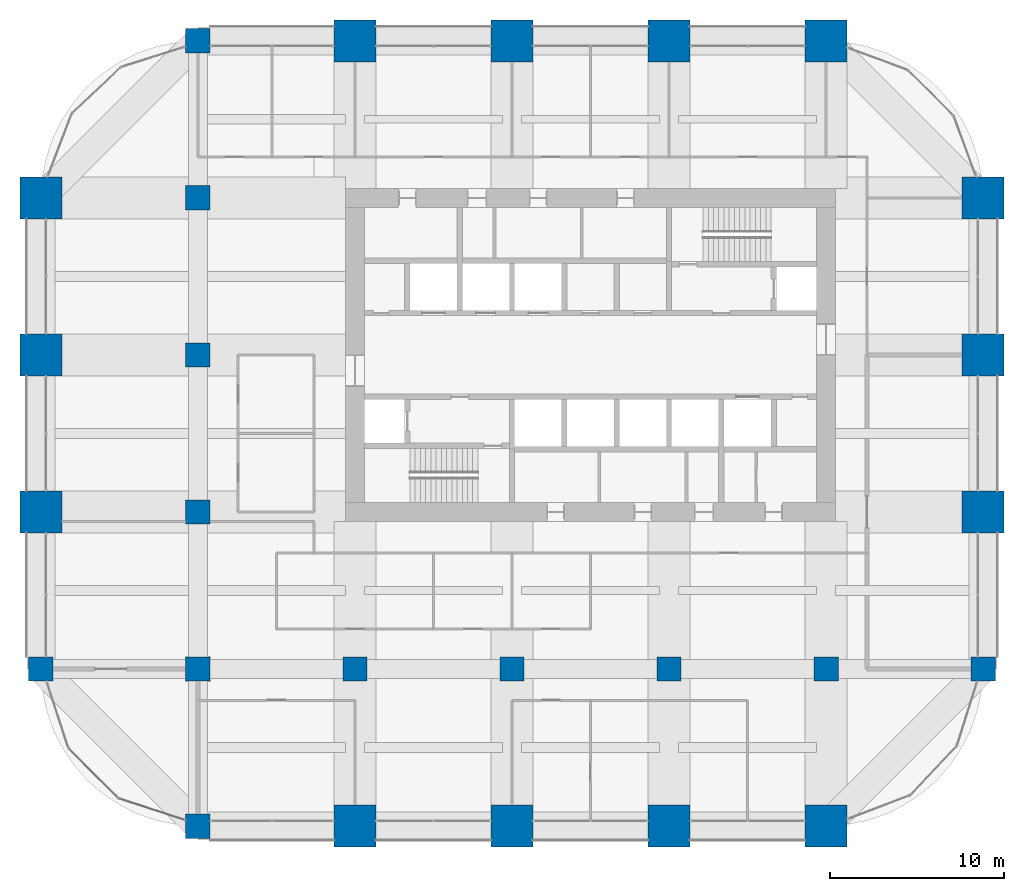
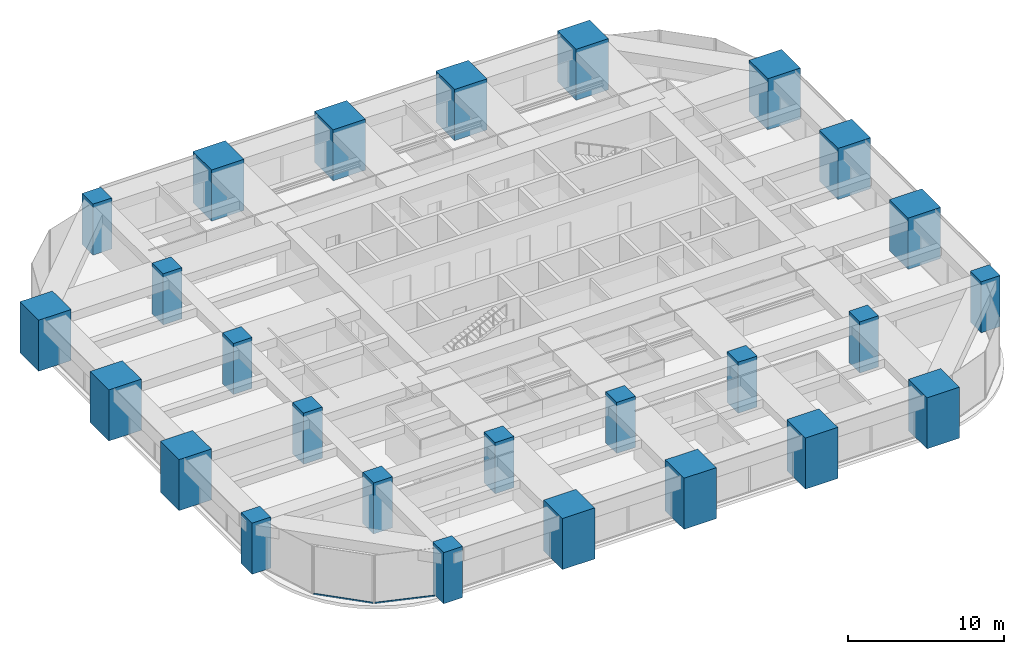
# One storey, part 1 of 34: 26 columns, 2 members, 2 elements without a shape of their own.
"""IFC4 building model written with IfcOpenShell, lengths in metres."""

from ifc_helpers import new_model, si_unit, direction, frame, origin, origin_2d, place, context, subcontext, project, spatial, rectangle, hollow_rectangle, extrude, material, material_profile, profile_set, type_object, element, aggregate, save


model = new_model("IFC4")

# Units and contexts
model_context = context("Model", 3, precision=1e-05, world=origin(), true_north=direction((0.0, 1.0)))
body_context = subcontext(model_context, "Body", "Model", "MODEL_VIEW")
ifc_project = project(units=[si_unit("LENGTHUNIT", "METRE"), si_unit("AREAUNIT", "SQUARE_METRE"), si_unit("VOLUMEUNIT", "CUBIC_METRE"), si_unit("PLANEANGLEUNIT", "RADIAN"), si_unit("MASSUNIT", "GRAM", prefix="KILO")], contexts=[model_context])

# Site, building, storey
site_placement = place(None, origin())
site = spatial("IfcSite", under=ifc_project, at=site_placement, CompositionType="ELEMENT")
building_placement = place(site_placement, origin())
building = spatial("IfcBuilding", under=site, at=building_placement, Name="Zorevar Civic Tower", CompositionType="ELEMENT")
storey_placement = place(building_placement, frame((0.0, 0.0, 226.199951171875)))
storey = spatial("IfcBuildingStorey", under=building, at=storey_placement, Name="L55", CompositionType="ELEMENT", Elevation=226.199951171875)

# Columns
ifc_material_1 = material(Name="Concrete C50/60", Category="concrete")
ifc_material_profile_1 = material_profile(ifc_material_1, rectangle(XDim=1.39990234375, YDim=1.39990234375, at=origin_2d()), Name="RC 1400x1400")
ifc_profile_set_1 = profile_set([ifc_material_profile_1], Name="Concrete C50/60")
column_type_1 = type_object("IfcColumnType", Name="Column RC 1400x1400", PredefinedType="COLUMN", material=ifc_profile_set_1)
for number, where, z_axis, x_axis, name in (
    (1, (0.0, 9.0, 0.0), (0.0, 0.0, 1.0), (1.0, 0.0, 0.0), "Column 2B L55"),
    (2, (9.0, 0.0, 0.0), (0.0, 0.0, 1.0), (1.0, 0.0, 0.0), "Column 3A L55"),
    (3, (9.0, 9.0, 0.0), (0.0, 0.0, 1.0), (1.0, 0.0, 0.0), "Column 3B L55"),
    (4, (9.0, 18.0, 0.0), (0.0, 0.0, 1.0), (1.0, 0.0, 0.0), "Column 3C L55"),
    (5, (9.0, 27.0, 0.0), (0.0, 0.0, 1.0), (1.0, 0.0, 0.0), "Column 3D L55"),
    (6, (9.0, 36.0, 0.0), (0.0, 0.0, 1.0), (1.0, 0.0, 0.0), "Column 3E L55"),
    (7, (9.0, 45.0, 0.0), (0.0, 0.0, 1.0), (1.0, 0.0, 0.0), "Column 3F L55"),
    (8, (18.0, 9.0, 0.0), (0.0, 0.0, 1.0), (1.0, 0.0, 0.0), "Column 4B L55"),
    (9, (27.0, 9.0, 0.0), (0.0, 0.0, 1.0), (1.0, 0.0, 0.0), "Column 5B L55"),
    (10, (36.0, 9.0, 0.0), (0.0, 0.0, 1.0), (1.0, 0.0, 0.0), "Column 6B L55"),
    (11, (45.0, 9.0, 0.0), (0.0, 0.0, 1.0), (1.0, 0.0, 0.0), "Column 7B L55"),
    (12, (54.0, 9.0, 0.0), (0.0, 0.0, 1.0), (1.0, 0.0, 0.0), "Column 8B L55"),
):
    element("IfcColumn", number, at=place(storey_placement, frame(where, z_axis=z_axis, x_axis=x_axis)), inside=storey, type_object=column_type_1, Name=name, PredefinedType="COLUMN", context=body_context, shape_type="SweptSolid", body=[
        extrude(rectangle(XDim=1.39990234375, YDim=1.39990234375, at=origin_2d()), origin(), (0.0, 0.0, 1.0), 4.0),
    ])
ifc_material_2 = material(Name="Concrete C50/60", Category="concrete")
ifc_material_profile_2 = material_profile(ifc_material_2, rectangle(XDim=2.39990234375, YDim=2.39990234375, at=origin_2d()), Name="RC 2400x2400")
ifc_profile_set_2 = profile_set([ifc_material_profile_2], Name="Concrete C50/60")
column_type_2 = type_object("IfcColumnType", Name="Mega column RC 2400x2400", PredefinedType="COLUMN", material=ifc_profile_set_2)
for number, where, z_axis, x_axis, name in (
    (13, (0.0, 18.0, 0.0), (0.0, 0.0, 1.0), (1.0, 0.0, 0.0), "Column 2C L55"),
    (14, (0.0, 27.0, 0.0), (0.0, 0.0, 1.0), (1.0, 0.0, 0.0), "Column 2D L55"),
    (15, (0.0, 36.0, 0.0), (0.0, 0.0, 1.0), (1.0, 0.0, 0.0), "Column 2E L55"),
    (16, (18.0, 0.0, 0.0), (0.0, 0.0, 1.0), (1.0, 0.0, 0.0), "Column 4A L55"),
    (17, (18.0, 45.0, 0.0), (0.0, 0.0, 1.0), (1.0, 0.0, 0.0), "Column 4F L55"),
    (18, (27.0, 0.0, 0.0), (0.0, 0.0, 1.0), (1.0, 0.0, 0.0), "Column 5A L55"),
    (19, (27.0, 45.0, 0.0), (0.0, 0.0, 1.0), (1.0, 0.0, 0.0), "Column 5F L55"),
    (20, (36.0, 0.0, 0.0), (0.0, 0.0, 1.0), (1.0, 0.0, 0.0), "Column 6A L55"),
    (21, (36.0, 45.0, 0.0), (0.0, 0.0, 1.0), (1.0, 0.0, 0.0), "Column 6F L55"),
    (22, (45.0, 0.0, 0.0), (0.0, 0.0, 1.0), (1.0, 0.0, 0.0), "Column 7A L55"),
    (23, (45.0, 45.0, 0.0), (0.0, 0.0, 1.0), (1.0, 0.0, 0.0), "Column 7F L55"),
    (24, (54.0, 18.0, 0.0), (0.0, 0.0, 1.0), (1.0, 0.0, 0.0), "Column 8C L55"),
    (25, (54.0, 27.0, 0.0), (0.0, 0.0, 1.0), (1.0, 0.0, 0.0), "Column 8D L55"),
    (26, (54.0, 36.0, 0.0), (0.0, 0.0, 1.0), (1.0, 0.0, 0.0), "Column 8E L55"),
):
    element("IfcColumn", number, at=place(storey_placement, frame(where, z_axis=z_axis, x_axis=x_axis)), inside=storey, type_object=column_type_2, Name=name, PredefinedType="COLUMN", context=body_context, shape_type="SweptSolid", body=[
        extrude(rectangle(XDim=2.39990234375, YDim=2.39990234375, at=origin_2d()), origin(), (0.0, 0.0, 1.0), 4.0),
    ])

# Curtain wall, member
ifc_material_3 = material(Name="Dark grey solar-control glass in black aluminium frame", Category="aluminium")
curtain_wall_type = type_object("IfcCurtainWallType", Name="Curtain wall CW4 high zone", PredefinedType="NOTDEFINED", material=ifc_material_3)
curtain_wall_1_placement = place(storey_placement, origin())
curtain_wall_1 = element("IfcCurtainWall", 27, at=curtain_wall_1_placement, inside=storey, type_object=curtain_wall_type, Name="CW4 L55", PredefinedType="NOTDEFINED")
ifc_material_4 = material(Name="Aluminium, black anodised", Category="aluminium")
ifc_material_profile_3 = material_profile(ifc_material_4, hollow_rectangle(XDim=0.06005859375, YDim=0.1201171875, WallThickness=0.0029296875, at=origin_2d()), Name="AL 120x60x3")
ifc_profile_set_3 = profile_set([ifc_material_profile_3], Name="Aluminium, black anodised")
member_type = type_object("IfcMemberType", Name="CW4 transom AL 120x60x3", PredefinedType="USERDEFINED", material=ifc_profile_set_3)
member_1_placement = place(storey_placement, frame((1.62744140625, 4.406982421875, 0.030029296875), z_axis=(0.707106781187, -0.707106781187, 0.0), x_axis=(0.707106781187, 0.707106781187, 0.0)))
member_1 = element("IfcMember", 28, at=member_1_placement, type_object=member_type, Name="CW4 sill transom", ObjectType="TRANSOM", PredefinedType="USERDEFINED", context=body_context, shape_type="SweptSolid", body=[
    extrude(hollow_rectangle(XDim=0.06005859375, YDim=0.1201171875, WallThickness=0.0029296875, at=origin_2d()), origin(), (0.0, 0.0, 1.0), 3.930908203125),
])
aggregate(curtain_wall_1, [member_1])

curtain_wall_2_placement = place(storey_placement, origin())
curtain_wall_2 = element("IfcCurtainWall", 29, at=curtain_wall_2_placement, inside=storey, type_object=curtain_wall_type, Name="CW4 L55", PredefinedType="NOTDEFINED")
member_2_placement = place(storey_placement, frame((4.50634765625, 1.56640625, 0.030029296875), z_axis=(0.950652200568, -0.31025859143, 0.0), x_axis=(0.31025859143, 0.950652200568, 0.0)))
member_2 = element("IfcMember", 30, at=member_2_placement, type_object=member_type, Name="CW4 sill transom", ObjectType="TRANSOM", PredefinedType="USERDEFINED", context=body_context, shape_type="SweptSolid", body=[
    extrude(hollow_rectangle(XDim=0.06005859375, YDim=0.1201171875, WallThickness=0.0029296875, at=origin_2d()), origin(), (0.0, 0.0, 1.0), 3.930419921875),
])
aggregate(curtain_wall_2, [member_2])

save(model, "model.ifc")
